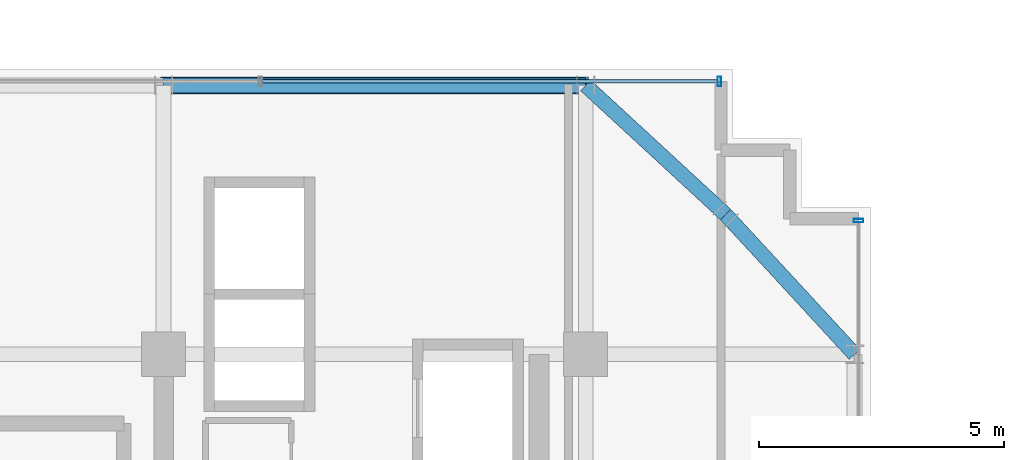
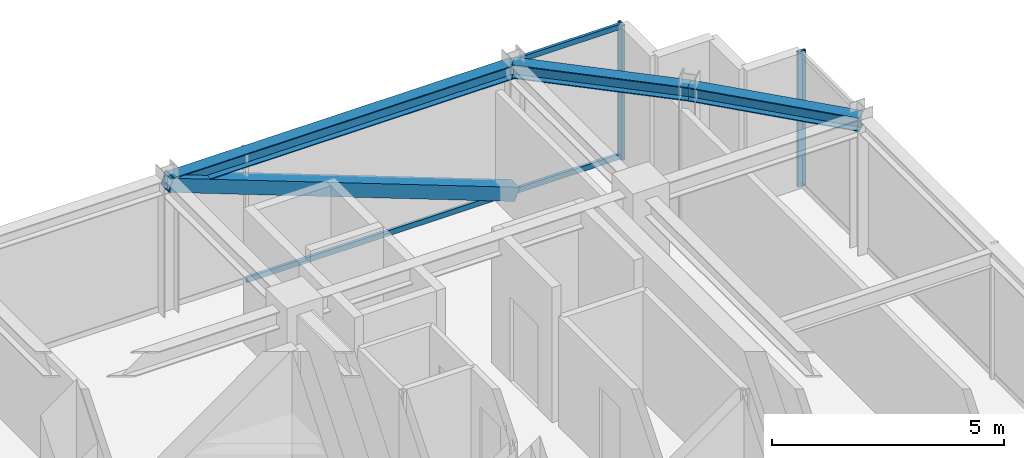
# One storey, part 30 of 39: 5 members, 3 beams, 2 elements without a shape of their own.
"""IFC4 building model written with IfcOpenShell, lengths in metres."""

import ifcopenshell
import ifcopenshell.guid

model = None  # the IFC model being written
_history = None  # IfcOwnerHistory: only IFC2X3 demands one
_inside = {}  # id of a spatial element -> (the spatial element, [elements in it])
_under = {}  # id of a project, library or spatial element -> (it, [spatial elements below it])
_declared = {}  # id of a project -> (the project, [libraries it declares])
_typed = {}  # id of a type object -> (the type object, [elements of that type])
_made_of = {}  # id of a material, layer set ... -> (it, [elements and type objects made of it])


def new_model(schema):
    """Start an empty IFC model of exactly this schema.

    Asked for "IFC4X3", IfcOpenShell would pick the latest addendum, in which some entities
    have other attributes; the version numbers below select the first issue.
    IFC2X3 requires an IfcOwnerHistory on every rooted entity: one is made here for all.
    """
    global model, _history
    if schema == "IFC4X3":
        model = ifcopenshell.file(schema_version=(4, 3, 0, 0))
    else:
        model = ifcopenshell.file(schema=schema)
    _inside.clear()
    _under.clear()
    _declared.clear()
    _typed.clear()
    _made_of.clear()
    _history = None
    if model.schema == "IFC2X3":
        org = make("IfcOrganization", Name="unknown")
        user = make(
            "IfcPersonAndOrganization",
            ThePerson=make("IfcPerson", FamilyName="unknown"),
            TheOrganization=org,
        )
        app = make(
            "IfcApplication",
            ApplicationDeveloper=org,
            Version="unknown",
            ApplicationFullName="unknown",
            ApplicationIdentifier="unknown",
        )
        _history = make(
            "IfcOwnerHistory",
            OwningUser=user,
            OwningApplication=app,
            ChangeAction="ADDED",
            CreationDate=0,
        )
    return model


def make(cls, **values):
    """One entity of the class cls with the attributes given. An attribute that is None is left unset."""
    return model.create_entity(
        cls, **{name: value for name, value in values.items() if value is not None}
    )


def rooted(cls, **values):
    """An entity with a GlobalId (a new one), such as an element, a storey or a relation."""
    return make(cls, GlobalId=ifcopenshell.guid.new(), OwnerHistory=_history, **values)


def si_unit(unit_type, name, prefix=None):
    """IfcSIUnit, for example si_unit("LENGTHUNIT", "METRE", prefix="MILLI")."""
    return make("IfcSIUnit", UnitType=unit_type, Prefix=prefix, Name=name)


def assignment(units):
    """IfcUnitAssignment: the units of a project."""
    return None if units is None else make("IfcUnitAssignment", Units=units)


def point(xyz):
    """IfcCartesianPoint."""
    return None if xyz is None else make("IfcCartesianPoint", Coordinates=xyz)


def direction(xyz):
    """IfcDirection."""
    return None if xyz is None else make("IfcDirection", DirectionRatios=xyz)


def frame(location, z_axis=None, x_axis=None):
    """IfcAxis2Placement3D, a coordinate frame: its origin and axes. An axis left out is left unset."""
    return make(
        "IfcAxis2Placement3D",
        Location=point(location),
        Axis=direction(z_axis),
        RefDirection=direction(x_axis),
    )


def frame_2d(location, x_axis=None):
    """IfcAxis2Placement2D, a coordinate frame in the plane: its origin and x axis."""
    return make(
        "IfcAxis2Placement2D", Location=point(location), RefDirection=direction(x_axis)
    )


def origin():
    """The frame at (0, 0, 0) with its axes left unset."""
    return frame((0.0, 0.0, 0.0))


def origin_2d():
    """The frame at (0, 0) in the plane with its x axis left unset."""
    return frame_2d((0.0, 0.0))


def place(relative_to, where):
    """IfcLocalPlacement: puts the frame where relative to a parent placement (None: the world)."""
    return make(
        "IfcLocalPlacement", PlacementRelTo=relative_to, RelativePlacement=where
    )


def context(
    kind, dimensions, precision=None, world=None, true_north=None, identifier=None
):
    """IfcGeometricRepresentationContext, for example the 3D "Model" context."""
    return make(
        "IfcGeometricRepresentationContext",
        ContextIdentifier=identifier,
        ContextType=kind,
        CoordinateSpaceDimension=dimensions,
        Precision=precision,
        WorldCoordinateSystem=world,
        TrueNorth=true_north,
    )


def subcontext(parent, identifier, kind, view, scale=None):
    """IfcGeometricRepresentationSubContext, for example "Body" below "Model"."""
    return make(
        "IfcGeometricRepresentationSubContext",
        ContextIdentifier=identifier,
        ContextType=kind,
        ParentContext=parent,
        TargetScale=scale,
        TargetView=view,
    )


def project(units=None, contexts=None):
    """IfcProject with its units and contexts."""
    return rooted(
        "IfcProject",
        Name="project",
        RepresentationContexts=contexts,
        UnitsInContext=assignment(units),
    )


def spatial(cls, under=None, at=None, **own):
    """A site, building, storey or space (cls), placed at a placement, below another one or the project."""
    s = rooted(cls, ObjectPlacement=at, **own)
    if under is not None:
        _under.setdefault(under.id(), (under, []))[1].append(s)
    return s


def profile(cls, at=None, kind="AREA", **sizes):
    """A parametric profile (cls). Its sizes go by their IFC names, for example OverallWidth=200.0."""
    return make(cls, ProfileType=kind, Position=at, **sizes)


def hollow_rectangle(**sizes):
    """IfcRectangleHollowProfileDef."""
    return profile("IfcRectangleHollowProfileDef", **sizes)


def i_section(**sizes):
    """IfcIShapeProfileDef."""
    return profile("IfcIShapeProfileDef", **sizes)


def extrude(swept, where, along, depth):
    """IfcExtrudedAreaSolid: the profile swept, set in the frame where, extruded along a direction by depth."""
    return make(
        "IfcExtrudedAreaSolid",
        SweptArea=swept,
        Position=where,
        ExtrudedDirection=direction(along),
        Depth=depth,
    )


def shape(context_of_items, identifier, shape_type, items):
    """IfcShapeRepresentation: the items that make up one representation, for example the "Body"."""
    return make(
        "IfcShapeRepresentation",
        ContextOfItems=context_of_items,
        RepresentationIdentifier=identifier,
        RepresentationType=shape_type,
        Items=items,
    )


def source(mapping_origin, context_of_items, identifier, shape_type, items):
    """IfcRepresentationMap: a shape defined once, which mapped items show again and again."""
    return make(
        "IfcRepresentationMap",
        MappingOrigin=mapping_origin,
        MappedRepresentation=shape(context_of_items, identifier, shape_type, items),
    )


def transform(
    local_origin,
    x_axis=None,
    y_axis=None,
    z_axis=None,
    scale=None,
    scale2=None,
    scale3=None,
    uniform=True,
):
    """IfcCartesianTransformationOperator3D, or its non-uniform kind. x_axis, y_axis, z_axis: its Axis1, 2, 3."""
    if uniform:
        return make(
            "IfcCartesianTransformationOperator3D",
            Axis1=direction(x_axis),
            Axis2=direction(y_axis),
            LocalOrigin=point(local_origin),
            Scale=scale,
            Axis3=direction(z_axis),
        )
    return make(
        "IfcCartesianTransformationOperator3DnonUniform",
        Axis1=direction(x_axis),
        Axis2=direction(y_axis),
        LocalOrigin=point(local_origin),
        Scale=scale,
        Axis3=direction(z_axis),
        Scale2=scale2,
        Scale3=scale3,
    )


def mapped(mapping_source, mapping_target):
    """IfcMappedItem: shows the shape of a source again, moved by a transform."""
    return make(
        "IfcMappedItem", MappingSource=mapping_source, MappingTarget=mapping_target
    )


def material(Name=None, Category=None):
    """IfcMaterial."""
    return make("IfcMaterial", Name=Name, Category=Category)


def material_profile(
    of_material, cross_section, Name=None, Category=None, Priority=None
):
    """IfcMaterialProfile: a cross section and its material."""
    return make(
        "IfcMaterialProfile",
        Name=Name,
        Material=of_material,
        Profile=cross_section,
        Priority=Priority,
        Category=Category,
    )


def profile_set(profiles, Name=None, composite=None):
    """IfcMaterialProfileSet."""
    return make(
        "IfcMaterialProfileSet",
        Name=Name,
        MaterialProfiles=profiles,
        CompositeProfile=composite,
    )


def made_of(thing, what):
    """Note that an element or type object is made of a material, layer set ...; save() writes the relation."""
    if what is not None:
        _made_of.setdefault(what.id(), (what, []))[1].append(thing)
    return thing


def type_object(cls, material=None, **own):
    """A type object (cls), such as IfcWallType, which elements share."""
    return made_of(rooted(cls, **own), material)


def element(
    cls,
    number,
    at=None,
    inside=None,
    cuts=None,
    type_object=None,
    material=None,
    context=None,
    identifier="Body",
    shape_type=None,
    held_by="IfcProductDefinitionShape",
    body=None,
    shapes=None,
    **own,
):
    """One element of the class cls, such as IfcWall. Its Tag is "e" and its number.

    at: its placement. inside: the storey or other place that contains it. cuts: it is an
    opening in that element (IfcRelVoidsElement). A single representation is given by context,
    identifier, shape_type and body (its items); several are given by shapes. held_by: the class
    of the entity that holds the representations. save() writes the other relations.
    """
    e = rooted(cls, Tag="e%d" % number, ObjectPlacement=at, **own)
    if body is not None:
        shapes = [shape(context, identifier, shape_type, body)]
    if shapes is not None:
        e.Representation = make(held_by, Representations=shapes)
    if inside is not None:
        _inside.setdefault(inside.id(), (inside, []))[1].append(e)
    if cuts is not None:
        rooted(
            "IfcRelVoidsElement", RelatingBuildingElement=cuts, RelatedOpeningElement=e
        )
    if type_object is not None:
        _typed.setdefault(type_object.id(), (type_object, []))[1].append(e)
    return made_of(e, material)


def aggregate(whole, parts):
    """IfcRelAggregates: a whole, such as a stair, and the parts it consists of."""
    return rooted("IfcRelAggregates", RelatingObject=whole, RelatedObjects=parts)


def save(model, path):
    """Write the relations noted so far, then the file.

    IfcRelAggregates (storeys below a building ...), IfcRelContainedInSpatialStructure (elements
    in a storey), IfcRelDefinesByType, IfcRelAssociatesMaterial and IfcRelDeclares: one each for
    every whole, place, type object, material and project.
    """
    for whole, parts in _under.values():
        aggregate(whole, parts)
    for where, things in _inside.values():
        rooted(
            "IfcRelContainedInSpatialStructure",
            RelatedElements=things,
            RelatingStructure=where,
        )
    for kind, things in _typed.values():
        rooted("IfcRelDefinesByType", RelatedObjects=things, RelatingType=kind)
    for what, things in _made_of.values():
        rooted("IfcRelAssociatesMaterial", RelatedObjects=things, RelatingMaterial=what)
    for by, libraries in _declared.values():
        rooted("IfcRelDeclares", RelatingContext=by, RelatedDefinitions=libraries)
    model.write(path)


model = new_model("IFC4")

# Units and contexts
model_context = context("Model", 3, precision=1e-05, world=origin(), true_north=direction((0.0, 1.0)))
body_context = subcontext(model_context, "Body", "Model", "MODEL_VIEW")
ifc_project = project(units=[si_unit("LENGTHUNIT", "METRE"), si_unit("AREAUNIT", "SQUARE_METRE"), si_unit("VOLUMEUNIT", "CUBIC_METRE"), si_unit("PLANEANGLEUNIT", "RADIAN"), si_unit("MASSUNIT", "GRAM", prefix="KILO")], contexts=[model_context])

# Site, building, storey
site_placement = place(None, origin())
site = spatial("IfcSite", under=ifc_project, at=site_placement, CompositionType="ELEMENT")
building_placement = place(site_placement, origin())
building = spatial("IfcBuilding", under=site, at=building_placement, Name="Nahalor Promenade Grand Hotel", CompositionType="ELEMENT")
storey_placement = place(building_placement, frame((0.0, 0.0, 311.89990234375)))
storey = spatial("IfcBuildingStorey", under=building, at=storey_placement, Name="L80", CompositionType="ELEMENT", Elevation=311.89990234375)

# Beams
ifc_material_1 = material(Name="Steel S355JR", Category="steel")
ifc_material_profile_1 = material_profile(ifc_material_1, i_section(OverallWidth=0.3, OverallDepth=0.36, WebThickness=0.0125, FlangeThickness=0.0225, at=origin_2d()), Name="HEB 360")
ifc_profile_set_1 = profile_set([ifc_material_profile_1], Name="Steel S355JR")
beam_type = type_object("IfcBeamType", Name="Beam-Spandrel-HEB360", PredefinedType="SPANDREL", material=ifc_profile_set_1)
shared_shape_1 = source(origin(), body_context, "Body", "SweptSolid", [
    extrude(i_section(OverallWidth=0.3, OverallDepth=0.36, WebThickness=0.0125, FlangeThickness=0.0225, at=origin_2d()), origin(), (0.0, 0.0, 1.0), 8.60009765625),
])
beam_placement = place(storey_placement, frame((8.39990234375, 22.47998046875, 3.3701171875), z_axis=(1.0, 0.0, 0.0), x_axis=(0.0, 1.0, 0.0)))
element("IfcBeam", 1, at=beam_placement, inside=storey, type_object=beam_type, Name="BM-L80-SP-N-4", PredefinedType="SPANDREL", context=body_context, shape_type="MappedRepresentation", body=[
    mapped(shared_shape_1, transform((0.0, 0.0, 0.0), scale=1.0)),
])
shared_shape_2 = source(origin(), body_context, "Body", "SweptSolid", [
    extrude(i_section(OverallWidth=0.3, OverallDepth=0.36, WebThickness=0.0125, FlangeThickness=0.0225, at=origin_2d()), origin(), (0.0, 0.0, 1.0), 3.878173828125),
])
for number, where, z_axis, x_axis, name in (
    (2, (17.0, 22.47998046875, 3.3701171875), (0.73492893846, -0.678144125843, 0.0), (0.678144125843, 0.73492893846, 0.0), "BM-L80-SPC-NE-1"),
    (3, (19.85009765625, 19.85009765625, 3.3701171875), (0.678144125843, -0.73492893846, 0.0), (0.73492893846, 0.678144125843, 0.0), "BM-L80-SPC-NE-2"),
):
    element("IfcBeam", number, at=place(storey_placement, frame(where, z_axis=z_axis, x_axis=x_axis)), inside=storey, type_object=beam_type, Name=name, PredefinedType="SPANDREL", context=body_context, shape_type="MappedRepresentation", body=[
        mapped(shared_shape_2, transform((0.0, 0.0, 0.0), scale=1.0)),
    ])

# Member
ifc_material_profile_2 = material_profile(ifc_material_1, hollow_rectangle(XDim=0.35, YDim=0.35, WallThickness=0.02, at=origin_2d()), Name="SHS 350x350x20")
ifc_profile_set_2 = profile_set([ifc_material_profile_2], Name="Steel S355JR")
member_type_1 = type_object("IfcMemberType", Name="Mem-VoidBrace-SHS350", PredefinedType="BRACE", material=ifc_profile_set_2)
shared_shape_3 = source(origin(), body_context, "Body", "SweptSolid", [
    extrude(hollow_rectangle(XDim=0.35, YDim=0.35, WallThickness=0.02, at=origin_2d()), origin(), (0.0, 0.0, 1.0), 9.193603515625),
])
member_1_placement = place(storey_placement, frame((17.0, 22.47998046875, 0.150146484375), z_axis=(-0.935433460247, 0.0, 0.353502816749), x_axis=(0.0, -1.0, 0.0)))
element("IfcMember", 4, at=member_1_placement, inside=storey, type_object=member_type_1, Name="EXO-L80-N-1", PredefinedType="BRACE", context=body_context, shape_type="MappedRepresentation", body=[
    mapped(shared_shape_3, transform((0.0, 0.0, 0.0), scale=1.0)),
])

# Curtain wall, members
ifc_material_2 = material(Name="Anodised Bronze Aluminium EN AW-6063 T6", Category="aluminium")
curtain_wall_type = type_object("IfcCurtainWallType", Name="CW3 Elliptical-Void Collar Unitised Curtain Wall", PredefinedType="USERDEFINED", material=ifc_material_2)
curtain_wall_1_placement = place(storey_placement, origin())
curtain_wall_1 = element("IfcCurtainWall", 5, at=curtain_wall_1_placement, inside=storey, type_object=curtain_wall_type, Name="L80 Curtain Wall CW-L80-N-3", ObjectType="UNITISED_CURTAIN_WALL", PredefinedType="USERDEFINED")
ifc_material_profile_3 = material_profile(ifc_material_2, hollow_rectangle(XDim=0.07, YDim=0.14, WallThickness=0.004, at=origin_2d()), Name="CWT 70x140x4")
ifc_profile_set_3 = profile_set([ifc_material_profile_3], Name="Anodised Bronze Aluminium EN AW-6063 T6")
member_type_2 = type_object("IfcMemberType", Name="CWT3 Void Collar Transom 70x140", PredefinedType="USERDEFINED", material=ifc_profile_set_3)
shared_shape_4 = source(origin(), body_context, "Body", "SweptSolid", [
    extrude(hollow_rectangle(XDim=0.07, YDim=0.14, WallThickness=0.004, at=origin_2d()), origin(), (0.0, 0.0, 1.0), 9.281494140625),
])
member_2_placement = place(storey_placement, frame((10.408447265625, 22.56005859375, 0.070068359375), z_axis=(1.0, 0.0, 0.0), x_axis=(0.0, 1.0, 0.0)))
member_2 = element("IfcMember", 6, at=member_2_placement, type_object=member_type_2, Name="CW-L80-N-3 Transom 2-0", ObjectType="TRANSOM", PredefinedType="USERDEFINED", context=body_context, shape_type="MappedRepresentation", body=[
    mapped(shared_shape_4, transform((0.0, 0.0, 0.0), scale=1.0)),
])
member_3_placement = place(storey_placement, frame((10.408447265625, 22.56005859375, 3.47998046875), z_axis=(1.0, 0.0, 0.0), x_axis=(0.0, 1.0, 0.0)))
member_3 = element("IfcMember", 7, at=member_3_placement, type_object=member_type_2, Name="CW-L80-N-3 Transom 2-1", ObjectType="TRANSOM", PredefinedType="USERDEFINED", context=body_context, shape_type="MappedRepresentation", body=[
    mapped(shared_shape_4, transform((0.0, 0.0, 0.0), scale=1.0)),
])
ifc_material_profile_4 = material_profile(ifc_material_2, hollow_rectangle(XDim=0.07, YDim=0.2, WallThickness=0.005, at=origin_2d()), Name="CWM 70x200x5")
ifc_profile_set_4 = profile_set([ifc_material_profile_4], Name="Anodised Bronze Aluminium EN AW-6063 T6")
member_type_3 = type_object("IfcMemberType", Name="CWM3 Void Collar Mullion 70x200", PredefinedType="MULLION", material=ifc_profile_set_4)
shared_shape_5 = source(origin(), body_context, "Body", "SweptSolid", [
    extrude(hollow_rectangle(XDim=0.07, YDim=0.2, WallThickness=0.005, at=origin_2d()), origin(), (0.0, 0.0, 1.0), 3.550048828125),
])
member_4_placement = place(storey_placement, frame((19.72509765625, 22.56005859375, 0.0), z_axis=(0.0, 0.0, 1.0), x_axis=(1.0, 0.0, 0.0)))
member_4 = element("IfcMember", 8, at=member_4_placement, type_object=member_type_3, Name="CW-L80-N-3 Mullion 3", PredefinedType="MULLION", context=body_context, shape_type="MappedRepresentation", body=[
    mapped(shared_shape_5, transform((0.0, 0.0, 0.0), scale=1.0)),
])
aggregate(curtain_wall_1, [member_4, member_2, member_3])

# Curtain wall, member
curtain_wall_2_placement = place(storey_placement, origin())
curtain_wall_2 = element("IfcCurtainWall", 9, at=curtain_wall_2_placement, inside=storey, type_object=curtain_wall_type, Name="L80 Curtain Wall CW-L80-E-4", ObjectType="UNITISED_CURTAIN_WALL", PredefinedType="USERDEFINED")
member_5_placement = place(storey_placement, frame((22.56005859375, 19.72509765625, 0.0), z_axis=(0.0, 0.0, 1.0), x_axis=(0.0, 1.0, 0.0)))
member_5 = element("IfcMember", 10, at=member_5_placement, type_object=member_type_3, Name="CW-L80-E-4 Mullion 2", PredefinedType="MULLION", context=body_context, shape_type="MappedRepresentation", body=[
    mapped(shared_shape_5, transform((0.0, 0.0, 0.0), scale=1.0)),
])
aggregate(curtain_wall_2, [member_5])

save(model, "model.ifc")
